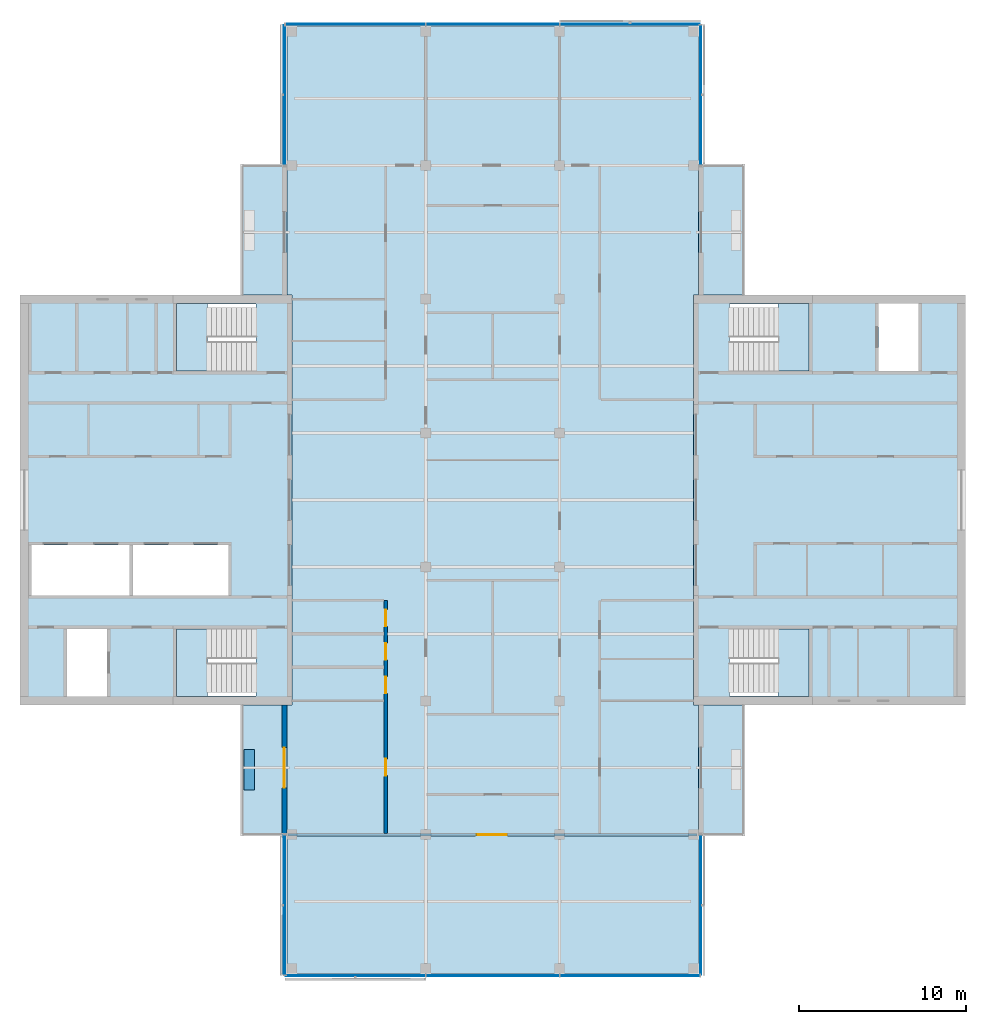
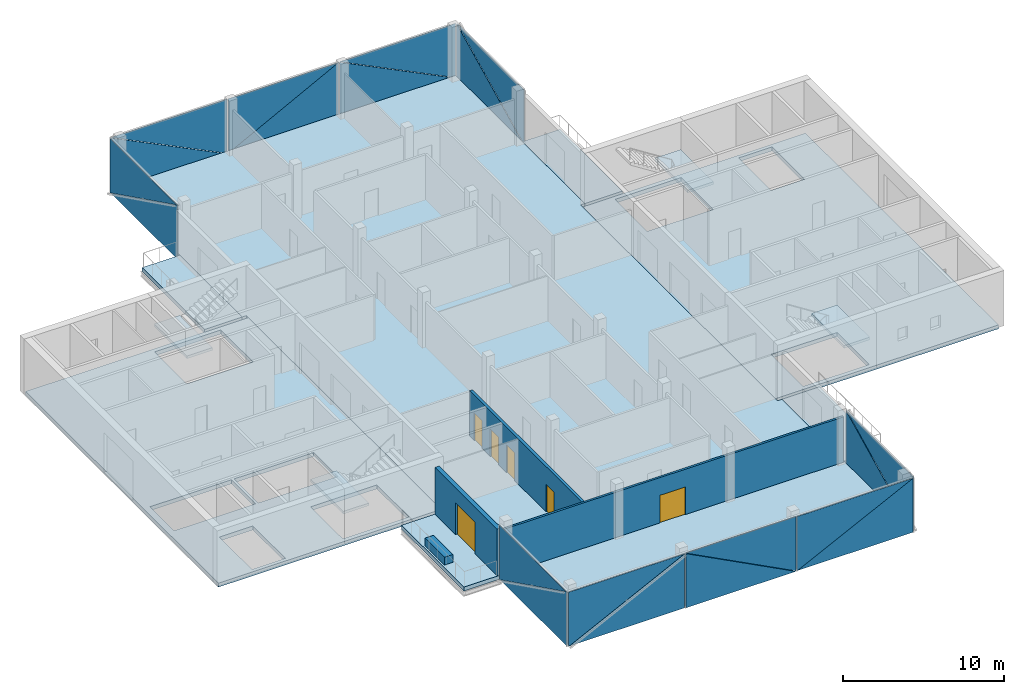
# One storey, part 4 of 12: 20 plates, 11 slabs, 6 doors, 4 walls, 6 openings, 10 elements without a shape of their own.
"""IFC4 building model written with IfcOpenShell, lengths in metres."""

from ifc_helpers import new_model, si_unit, direction, frame, frame_2d, origin, place, context, subcontext, project, spatial, polyline, rectangle, outline, extrude, material, layer, layer_set, type_object, element, fill, aggregate, save


model = new_model("IFC4")

# Units and contexts
model_context = context("Model", 3, precision=1e-05, world=origin(), true_north=direction((0.0, 1.0)))
body_context = subcontext(model_context, "Body", "Model", "MODEL_VIEW")
ifc_project = project(units=[si_unit("LENGTHUNIT", "METRE"), si_unit("AREAUNIT", "SQUARE_METRE"), si_unit("VOLUMEUNIT", "CUBIC_METRE"), si_unit("PLANEANGLEUNIT", "RADIAN"), si_unit("MASSUNIT", "GRAM", prefix="KILO")], contexts=[model_context])

# Site, building, storey
site_placement = place(None, origin())
site = spatial("IfcSite", under=ifc_project, at=site_placement, CompositionType="ELEMENT")
building_placement = place(site_placement, origin())
building = spatial("IfcBuilding", under=site, at=building_placement, Name="Crosswind Convention Tower", CompositionType="ELEMENT")
storey_placement = place(building_placement, frame((0.0, 0.0, 311.300048828125)))
storey = spatial("IfcBuildingStorey", under=building, at=storey_placement, Name="L67", CompositionType="ELEMENT", Elevation=311.300048828125)

# Slabs
ifc_material_1 = material(Name="Concrete C40/50", Category="concrete")
ifc_layer_1 = layer(ifc_material_1, 0.300048828125)
ifc_layer_set_1 = layer_set([ifc_layer_1], Name="Concrete C40/50")
slab_type_1 = type_object("IfcSlabType", Name="Composite floor slab 300", PredefinedType="FLOOR", material=ifc_layer_set_1)
slab_1_placement = place(storey_placement, frame((0.0, 0.0, -0.300048828125)))
element("IfcSlab", 1, at=slab_1_placement, inside=storey, type_object=slab_type_1, Name="Floor slab L67", PredefinedType="FLOOR", context=body_context, shape_type="SweptSolid", body=[
    extrude(outline(polyline([(137.300048828125, 71.699951171875), (137.0, 71.699951171875), (113.0, 71.699951171875), (112.699951171875, 71.699951171875), (112.699951171875, 72.0), (112.699951171875, 87.75), (113.0, 87.75), (113.0, 112.25), (112.699951171875, 112.25), (112.699951171875, 128.0), (112.699951171875, 128.300048828125), (113.0, 128.300048828125), (137.0, 128.300048828125), (137.300048828125, 128.300048828125), (137.300048828125, 128.0), (137.300048828125, 112.25), (137.0, 112.25), (137.0, 87.75), (137.300048828125, 87.75), (137.300048828125, 72.0), (137.300048828125, 71.699951171875)])), origin(), (0.0, 0.0, 1.0), 0.300048828125),
])
ifc_layer_2 = layer(ifc_material_1, 0.300048828125)
ifc_layer_set_2 = layer_set([ifc_layer_2], Name="Concrete C40/50")
slab_type_2 = type_object("IfcSlabType", Name="Concrete core floor slab 300", PredefinedType="FLOOR", material=ifc_layer_set_2)
slab_2_placement = place(storey_placement, frame((0.0, 0.0, -0.300048828125)))
element("IfcSlab", 2, at=slab_2_placement, inside=storey, type_object=slab_type_2, Name="Core floor slab E L67", PredefinedType="FLOOR", context=body_context, shape_type="SweptSolid", body=[
    extrude(outline(polyline([(137.0, 88.0), (153.0, 88.0), (153.0, 112.0), (137.0, 112.0), (137.0, 88.0)]), holes=[polyline([(150.449951171875, 107.699951171875), (150.449951171875, 111.75), (148.050048828125, 111.75), (148.050048828125, 107.699951171875), (150.449951171875, 107.699951171875)]), polyline([(143.89990234375, 107.699951171875), (143.89990234375, 111.699951171875), (139.14990234375, 111.699951171875), (139.14990234375, 107.699951171875), (143.89990234375, 107.699951171875)]), polyline([(143.89990234375, 88.300048828125), (143.89990234375, 92.300048828125), (139.14990234375, 92.300048828125), (139.14990234375, 88.300048828125), (143.89990234375, 88.300048828125)])]), origin(), (0.0, 0.0, 1.0), 0.300048828125),
])
slab_3_placement = place(storey_placement, frame((0.0, 0.0, -0.300048828125)))
element("IfcSlab", 3, at=slab_3_placement, inside=storey, type_object=slab_type_2, Name="Core floor slab W L67", PredefinedType="FLOOR", context=body_context, shape_type="SweptSolid", body=[
    extrude(outline(polyline([(97.0, 88.0), (113.0, 88.0), (113.0, 112.0), (97.0, 112.0), (97.0, 88.0)]), holes=[polyline([(109.199951171875, 94.300048828125), (109.199951171875, 97.300048828125), (103.5, 97.300048828125), (103.5, 94.300048828125), (109.199951171875, 94.300048828125)]), polyline([(103.300048828125, 94.300048828125), (103.300048828125, 97.300048828125), (97.449951171875, 97.300048828125), (97.449951171875, 94.300048828125), (103.300048828125, 94.300048828125)]), polyline([(101.949951171875, 88.25), (101.949951171875, 92.300048828125), (99.550048828125, 92.300048828125), (99.550048828125, 88.25), (101.949951171875, 88.25)]), polyline([(110.85009765625, 88.300048828125), (110.85009765625, 92.300048828125), (106.10009765625, 92.300048828125), (106.10009765625, 88.300048828125), (110.85009765625, 88.300048828125)]), polyline([(110.85009765625, 107.699951171875), (110.85009765625, 111.699951171875), (106.10009765625, 111.699951171875), (106.10009765625, 107.699951171875), (110.85009765625, 107.699951171875)])]), origin(), (0.0, 0.0, 1.0), 0.300048828125),
])

# Stair, slab
stair_type = type_object("IfcStairType", Name="Exit stair 1800 wide, 2 flights of 11 risers", PredefinedType="HALF_TURN_STAIR", material=ifc_material_1)
stair_1_placement = place(storey_placement, origin())
stair_1 = element("IfcStair", 4, at=stair_1_placement, inside=storey, type_object=stair_type, Name="Exit stair ST1 L67", ObjectType="ST5", PredefinedType="HALF_TURN_STAIR")
ifc_layer_3 = layer(ifc_material_1, 0.199951171875)
ifc_layer_set_3 = layer_set([ifc_layer_3], Name="Concrete C40/50")
slab_type_3 = type_object("IfcSlabType", Name="Stair landing 200", PredefinedType="LANDING", material=ifc_layer_set_3)
slab_4_placement = place(storey_placement, frame((0.0, 0.0, 1.89990234375)))
slab_4 = element("IfcSlab", 5, at=slab_4_placement, type_object=slab_type_3, Name="ST1 landing 1", PredefinedType="LANDING", context=body_context, shape_type="SweptSolid", body=[
    extrude(outline(polyline([(143.89990234375, 107.699951171875), (143.89990234375, 111.75), (142.050048828125, 111.75), (142.050048828125, 107.699951171875), (143.89990234375, 107.699951171875)])), origin(), (0.0, 0.0, 1.0), 0.199951171875),
])
aggregate(stair_1, [slab_4])

stair_2_placement = place(storey_placement, origin())
stair_2 = element("IfcStair", 6, at=stair_2_placement, inside=storey, type_object=stair_type, Name="Exit stair ST2 L67", ObjectType="ST5", PredefinedType="HALF_TURN_STAIR")
slab_5_placement = place(storey_placement, frame((0.0, 0.0, 1.89990234375)))
slab_5 = element("IfcSlab", 7, at=slab_5_placement, type_object=slab_type_3, Name="ST2 landing 1", PredefinedType="LANDING", context=body_context, shape_type="SweptSolid", body=[
    extrude(outline(polyline([(143.89990234375, 88.25), (143.89990234375, 92.300048828125), (142.050048828125, 92.300048828125), (142.050048828125, 88.25), (143.89990234375, 88.25)])), origin(), (0.0, 0.0, 1.0), 0.199951171875),
])
aggregate(stair_2, [slab_5])

stair_3_placement = place(storey_placement, origin())
stair_3 = element("IfcStair", 8, at=stair_3_placement, inside=storey, type_object=stair_type, Name="Exit stair ST3 L67", ObjectType="ST5", PredefinedType="HALF_TURN_STAIR")
slab_6_placement = place(storey_placement, frame((0.0, 0.0, 1.89990234375)))
slab_6 = element("IfcSlab", 9, at=slab_6_placement, type_object=slab_type_3, Name="ST3 landing 1", PredefinedType="LANDING", context=body_context, shape_type="SweptSolid", body=[
    extrude(outline(polyline([(107.949951171875, 88.25), (107.949951171875, 92.300048828125), (106.10009765625, 92.300048828125), (106.10009765625, 88.25), (107.949951171875, 88.25)])), origin(), (0.0, 0.0, 1.0), 0.199951171875),
])
aggregate(stair_3, [slab_6])

stair_4_placement = place(storey_placement, origin())
stair_4 = element("IfcStair", 10, at=stair_4_placement, inside=storey, type_object=stair_type, Name="Exit stair ST4 L67", ObjectType="ST5", PredefinedType="HALF_TURN_STAIR")
slab_7_placement = place(storey_placement, frame((0.0, 0.0, 1.89990234375)))
slab_7 = element("IfcSlab", 11, at=slab_7_placement, type_object=slab_type_3, Name="ST4 landing 1", PredefinedType="LANDING", context=body_context, shape_type="SweptSolid", body=[
    extrude(outline(polyline([(107.949951171875, 107.699951171875), (107.949951171875, 111.75), (106.10009765625, 111.75), (106.10009765625, 107.699951171875), (107.949951171875, 107.699951171875)])), origin(), (0.0, 0.0, 1.0), 0.199951171875),
])
aggregate(stair_4, [slab_7])

# Curtain wall, plates
ifc_material_2 = material(Name="Aluminium unitised curtain wall", Category="aluminium")
curtain_wall_type = type_object("IfcCurtainWallType", Name="OFFICE UNITISED WALL 220", PredefinedType="USERDEFINED", material=ifc_material_2)
curtain_wall_1_placement = place(storey_placement, origin())
curtain_wall_1 = element("IfcCurtainWall", 12, at=curtain_wall_1_placement, inside=storey, type_object=curtain_wall_type, Name="CW3 L67 N-E 1", ObjectType="UNITISED", PredefinedType="USERDEFINED")
ifc_material_3 = material(Name="Laminated insulating glass unit", Category="glass")
ifc_layer_4 = layer(ifc_material_3, 0.031982421875)
ifc_layer_set_4 = layer_set([ifc_layer_4], Name="TRIANGULAR GLASS PANEL 32")
plate_type = type_object("IfcPlateType", Name="TRIANGULAR GLASS PANEL 32", PredefinedType="CURTAIN_PANEL", material=ifc_layer_set_4)
plate_1_placement = place(storey_placement, frame((137.44287109375, 128.375, -0.300048828125), z_axis=(0.999999913924, 0.0, 0.000414913129), x_axis=(-0.000414913129, 0.0, 0.999999913924)))
plate_1 = element("IfcPlate", 13, at=plate_1_placement, type_object=plate_type, Name="CW3 panel 1.1", PredefinedType="CURTAIN_PANEL", context=body_context, shape_type="SweptSolid", body=[
    extrude(outline(polyline([(0.0, 0.0), (4.118896838915043, 0.0), (0.0, 8.317382812500002), (0.0, 0.0)])), origin(), (0.0, 0.0, -1.0), 0.031982421875),
])
plate_2_placement = place(storey_placement, frame((137.47509765625, 120.034912109375, 3.829833984375), z_axis=(0.999999913913, 0.0, 0.000414937724), x_axis=(0.000414937724, 0.0, -0.999999913913)))
plate_2 = element("IfcPlate", 14, at=plate_2_placement, type_object=plate_type, Name="CW3 panel 1.2", PredefinedType="CURTAIN_PANEL", context=body_context, shape_type="SweptSolid", body=[
    extrude(outline(polyline([(0.0, 0.0), (4.118652698311059, 0.0), (0.0, 8.317626953125), (0.0, 0.0)])), origin(), (0.0, 0.0, -1.0), 0.031982421875),
])
aggregate(curtain_wall_1, [plate_1, plate_2])

curtain_wall_2_placement = place(storey_placement, origin())
curtain_wall_2 = element("IfcCurtainWall", 15, at=curtain_wall_2_placement, inside=storey, type_object=curtain_wall_type, Name="CW3 L67 N-TIP 1", ObjectType="UNITISED", PredefinedType="USERDEFINED")
plate_3_placement = place(storey_placement, frame((129.034912109375, 128.44287109375, -0.300048828125), z_axis=(0.0, 0.999999913924, 0.000414913129), x_axis=(0.0, -0.000414913129, 0.999999913924)))
plate_3 = element("IfcPlate", 16, at=plate_3_placement, type_object=plate_type, Name="CW3 panel 1.1", PredefinedType="CURTAIN_PANEL", context=body_context, shape_type="SweptSolid", body=[
    extrude(outline(polyline([(0.0, 0.0), (4.118896838915043, 0.0), (0.0, 8.317626953124998), (0.0, 0.0)])), origin(), (0.0, 0.0, -1.0), 0.031982421875),
])
plate_4_placement = place(storey_placement, frame((137.375, 128.47509765625, 3.829833984375), z_axis=(0.0, 0.999999913913, 0.000414937724), x_axis=(0.0, 0.000414937724, -0.999999913913)))
plate_4 = element("IfcPlate", 17, at=plate_4_placement, type_object=plate_type, Name="CW3 panel 1.2", PredefinedType="CURTAIN_PANEL", context=body_context, shape_type="SweptSolid", body=[
    extrude(outline(polyline([(0.0, 0.0), (4.118652698311059, 0.0), (0.0, 8.3173828125), (0.0, 0.0)])), origin(), (0.0, 0.0, -1.0), 0.031982421875),
])
plate_5_placement = place(storey_placement, frame((121.034912109375, 128.441162109375, 3.829833984375), z_axis=(0.0, 0.999999913913, 0.000414937724), x_axis=(1.0, 0.0, 0.0)))
plate_5 = element("IfcPlate", 18, at=plate_5_placement, type_object=plate_type, Name="CW3 panel 2.1", PredefinedType="CURTAIN_PANEL", context=body_context, shape_type="SweptSolid", body=[
    extrude(outline(polyline([(0.0, 0.0), (7.908447265625, 0.0), (0.0, 4.118652698311059), (0.0, 0.0)])), origin(), (0.0, 0.0, -1.0), 0.031982421875),
])
plate_6_placement = place(storey_placement, frame((128.965087890625, 128.476806640625, -0.300048828125), z_axis=(0.0, 0.999999913913, 0.000414937724), x_axis=(-1.0, 0.0, 0.0)))
plate_6 = element("IfcPlate", 19, at=plate_6_placement, type_object=plate_type, Name="CW3 panel 2.2", PredefinedType="CURTAIN_PANEL", context=body_context, shape_type="SweptSolid", body=[
    extrude(outline(polyline([(0.0, 0.0), (7.908447265625, 0.0), (0.0, 4.118652698311059), (0.0, 0.0)])), origin(), (0.0, 0.0, -1.0), 0.031982421875),
])
plate_7_placement = place(storey_placement, frame((112.625, 128.44287109375, -0.300048828125), z_axis=(0.0, 0.999999913924, 0.000414913129), x_axis=(0.0, -0.000414913129, 0.999999913924)))
plate_7 = element("IfcPlate", 20, at=plate_7_placement, type_object=plate_type, Name="CW3 panel 3.1", PredefinedType="CURTAIN_PANEL", context=body_context, shape_type="SweptSolid", body=[
    extrude(outline(polyline([(0.0, 0.0), (4.118896838915043, 0.0), (0.0, 8.317382812500002), (0.0, 0.0)])), origin(), (0.0, 0.0, -1.0), 0.031982421875),
])
plate_8_placement = place(storey_placement, frame((120.965087890625, 128.47509765625, 3.829833984375), z_axis=(0.0, 0.999999913913, 0.000414937724), x_axis=(0.0, 0.000414937724, -0.999999913913)))
plate_8 = element("IfcPlate", 21, at=plate_8_placement, type_object=plate_type, Name="CW3 panel 3.2", PredefinedType="CURTAIN_PANEL", context=body_context, shape_type="SweptSolid", body=[
    extrude(outline(polyline([(0.0, 0.0), (4.118652698311059, 0.0), (0.0, 8.317626953125), (0.0, 0.0)])), origin(), (0.0, 0.0, -1.0), 0.031982421875),
])
aggregate(curtain_wall_2, [plate_3, plate_4, plate_5, plate_6, plate_7, plate_8])

curtain_wall_3_placement = place(storey_placement, origin())
curtain_wall_3 = element("IfcCurtainWall", 22, at=curtain_wall_3_placement, inside=storey, type_object=curtain_wall_type, Name="CW3 L67 N-W 1", ObjectType="UNITISED", PredefinedType="USERDEFINED")
plate_9_placement = place(storey_placement, frame((112.55712890625, 120.034912109375, -0.300048828125), z_axis=(-0.999999913924, 0.0, 0.000414913129), x_axis=(0.000414913129, 0.0, 0.999999913924)))
plate_9 = element("IfcPlate", 23, at=plate_9_placement, type_object=plate_type, Name="CW3 panel 1.1", PredefinedType="CURTAIN_PANEL", context=body_context, shape_type="SweptSolid", body=[
    extrude(outline(polyline([(0.0, 0.0), (4.118896838915043, 0.0), (0.0, 8.317626953124998), (0.0, 0.0)])), origin(), (0.0, 0.0, -1.0), 0.031982421875),
])
plate_10_placement = place(storey_placement, frame((112.52490234375, 128.375, 3.829833984375), z_axis=(-0.999999913913, 0.0, 0.000414937724), x_axis=(-0.000414937724, 0.0, -0.999999913913)))
plate_10 = element("IfcPlate", 24, at=plate_10_placement, type_object=plate_type, Name="CW3 panel 1.2", PredefinedType="CURTAIN_PANEL", context=body_context, shape_type="SweptSolid", body=[
    extrude(outline(polyline([(0.0, 0.0), (4.118652698311059, 0.0), (0.0, 8.3173828125), (0.0, 0.0)])), origin(), (0.0, 0.0, -1.0), 0.031982421875),
])
aggregate(curtain_wall_3, [plate_9, plate_10])

curtain_wall_4_placement = place(storey_placement, origin())
curtain_wall_4 = element("IfcCurtainWall", 25, at=curtain_wall_4_placement, inside=storey, type_object=curtain_wall_type, Name="CW3 L67 S-W 1", ObjectType="UNITISED", PredefinedType="USERDEFINED")
plate_11_placement = place(storey_placement, frame((112.55712890625, 71.625, -0.300048828125), z_axis=(-0.999999913924, 0.0, 0.000414913129), x_axis=(0.000414913129, 0.0, 0.999999913924)))
plate_11 = element("IfcPlate", 26, at=plate_11_placement, type_object=plate_type, Name="CW3 panel 1.1", PredefinedType="CURTAIN_PANEL", context=body_context, shape_type="SweptSolid", body=[
    extrude(outline(polyline([(0.0, 0.0), (4.118896838915043, 0.0), (0.0, 8.317382812500002), (0.0, 0.0)])), origin(), (0.0, 0.0, -1.0), 0.031982421875),
])
plate_12_placement = place(storey_placement, frame((112.52490234375, 79.965087890625, 3.829833984375), z_axis=(-0.999999913913, 0.0, 0.000414937724), x_axis=(-0.000414937724, 0.0, -0.999999913913)))
plate_12 = element("IfcPlate", 27, at=plate_12_placement, type_object=plate_type, Name="CW3 panel 1.2", PredefinedType="CURTAIN_PANEL", context=body_context, shape_type="SweptSolid", body=[
    extrude(outline(polyline([(0.0, 0.0), (4.118652698311059, 0.0), (0.0, 8.317626953125), (0.0, 0.0)])), origin(), (0.0, 0.0, -1.0), 0.031982421875),
])
aggregate(curtain_wall_4, [plate_11, plate_12])

curtain_wall_5_placement = place(storey_placement, origin())
curtain_wall_5 = element("IfcCurtainWall", 28, at=curtain_wall_5_placement, inside=storey, type_object=curtain_wall_type, Name="CW3 L67 S-TIP 1", ObjectType="UNITISED", PredefinedType="USERDEFINED")
plate_13_placement = place(storey_placement, frame((120.965087890625, 71.55712890625, -0.300048828125), z_axis=(0.0, -0.999999913924, 0.000414913129), x_axis=(0.0, 0.000414913129, 0.999999913924)))
plate_13 = element("IfcPlate", 29, at=plate_13_placement, type_object=plate_type, Name="CW3 panel 1.1", PredefinedType="CURTAIN_PANEL", context=body_context, shape_type="SweptSolid", body=[
    extrude(outline(polyline([(0.0, 0.0), (4.118896838915043, 0.0), (0.0, 8.317626953124998), (0.0, 0.0)])), origin(), (0.0, 0.0, -1.0), 0.031982421875),
])
plate_14_placement = place(storey_placement, frame((112.625, 71.52490234375, 3.829833984375), z_axis=(0.0, -0.999999913913, 0.000414937724), x_axis=(0.0, -0.000414937724, -0.999999913913)))
plate_14 = element("IfcPlate", 30, at=plate_14_placement, type_object=plate_type, Name="CW3 panel 1.2", PredefinedType="CURTAIN_PANEL", context=body_context, shape_type="SweptSolid", body=[
    extrude(outline(polyline([(0.0, 0.0), (4.118652698311059, 0.0), (0.0, 8.3173828125), (0.0, 0.0)])), origin(), (0.0, 0.0, -1.0), 0.031982421875),
])
plate_15_placement = place(storey_placement, frame((128.965087890625, 71.558837890625, 3.829833984375), z_axis=(0.0, -0.999999913913, 0.000414937724), x_axis=(-1.0, 0.0, 0.0)))
plate_15 = element("IfcPlate", 31, at=plate_15_placement, type_object=plate_type, Name="CW3 panel 2.1", PredefinedType="CURTAIN_PANEL", context=body_context, shape_type="SweptSolid", body=[
    extrude(outline(polyline([(0.0, 0.0), (7.908447265625, 0.0), (0.0, 4.118652698311059), (0.0, 0.0)])), origin(), (0.0, 0.0, -1.0), 0.031982421875),
])
plate_16_placement = place(storey_placement, frame((121.034912109375, 71.523193359375, -0.300048828125), z_axis=(0.0, -0.999999913913, 0.000414937724), x_axis=(1.0, 0.0, 0.0)))
plate_16 = element("IfcPlate", 32, at=plate_16_placement, type_object=plate_type, Name="CW3 panel 2.2", PredefinedType="CURTAIN_PANEL", context=body_context, shape_type="SweptSolid", body=[
    extrude(outline(polyline([(0.0, 0.0), (7.908447265625, 0.0), (0.0, 4.118652698311059), (0.0, 0.0)])), origin(), (0.0, 0.0, -1.0), 0.031982421875),
])
plate_17_placement = place(storey_placement, frame((137.375, 71.55712890625, -0.300048828125), z_axis=(0.0, -0.999999913924, 0.000414913129), x_axis=(0.0, 0.000414913129, 0.999999913924)))
plate_17 = element("IfcPlate", 33, at=plate_17_placement, type_object=plate_type, Name="CW3 panel 3.1", PredefinedType="CURTAIN_PANEL", context=body_context, shape_type="SweptSolid", body=[
    extrude(outline(polyline([(0.0, 0.0), (4.118896838915043, 0.0), (0.0, 8.317382812500002), (0.0, 0.0)])), origin(), (0.0, 0.0, -1.0), 0.031982421875),
])
plate_18_placement = place(storey_placement, frame((129.034912109375, 71.52490234375, 3.829833984375), z_axis=(0.0, -0.999999913913, 0.000414937724), x_axis=(0.0, -0.000414937724, -0.999999913913)))
plate_18 = element("IfcPlate", 34, at=plate_18_placement, type_object=plate_type, Name="CW3 panel 3.2", PredefinedType="CURTAIN_PANEL", context=body_context, shape_type="SweptSolid", body=[
    extrude(outline(polyline([(0.0, 0.0), (4.118652698311059, 0.0), (0.0, 8.317626953125), (0.0, 0.0)])), origin(), (0.0, 0.0, -1.0), 0.031982421875),
])
aggregate(curtain_wall_5, [plate_13, plate_14, plate_15, plate_16, plate_17, plate_18])

curtain_wall_6_placement = place(storey_placement, origin())
curtain_wall_6 = element("IfcCurtainWall", 35, at=curtain_wall_6_placement, inside=storey, type_object=curtain_wall_type, Name="CW3 L67 S-E 1", ObjectType="UNITISED", PredefinedType="USERDEFINED")
plate_19_placement = place(storey_placement, frame((137.44287109375, 79.965087890625, -0.300048828125), z_axis=(0.999999913924, 0.0, 0.000414913129), x_axis=(-0.000414913129, 0.0, 0.999999913924)))
plate_19 = element("IfcPlate", 36, at=plate_19_placement, type_object=plate_type, Name="CW3 panel 1.1", PredefinedType="CURTAIN_PANEL", context=body_context, shape_type="SweptSolid", body=[
    extrude(outline(polyline([(0.0, 0.0), (4.118896838915043, 0.0), (0.0, 8.317626953124998), (0.0, 0.0)])), origin(), (0.0, 0.0, -1.0), 0.031982421875),
])
plate_20_placement = place(storey_placement, frame((137.47509765625, 71.625, 3.829833984375), z_axis=(0.999999913913, 0.0, 0.000414937724), x_axis=(0.000414937724, 0.0, -0.999999913913)))
plate_20 = element("IfcPlate", 37, at=plate_20_placement, type_object=plate_type, Name="CW3 panel 1.2", PredefinedType="CURTAIN_PANEL", context=body_context, shape_type="SweptSolid", body=[
    extrude(outline(polyline([(0.0, 0.0), (4.118652698311059, 0.0), (0.0, 8.3173828125), (0.0, 0.0)])), origin(), (0.0, 0.0, -1.0), 0.031982421875),
])
aggregate(curtain_wall_6, [plate_19, plate_20])

# Slabs
ifc_layer_5 = layer(ifc_material_1, 0.300048828125)
ifc_layer_set_5 = layer_set([ifc_layer_5], Name="Concrete C40/50")
slab_type_4 = type_object("IfcSlabType", Name="WINTER GARDEN SLAB 300", PredefinedType="USERDEFINED", material=ifc_layer_set_5)
slab_8_placement = place(storey_placement, frame((0.0, 0.0, -0.300048828125)))
element("IfcSlab", 38, at=slab_8_placement, inside=storey, type_object=slab_type_4, Name="WINTER GARDEN L67 N-E.1-1", ObjectType="WINTER GARDEN", PredefinedType="USERDEFINED", context=body_context, shape_type="SweptSolid", body=[
    extrude(outline(polyline([(137.300048828125, 112.25), (137.300048828125, 120.0), (140.0, 120.0), (140.0, 112.25), (137.300048828125, 112.25)])), origin(), (0.0, 0.0, 1.0), 0.300048828125),
])
slab_9_placement = place(storey_placement, frame((0.0, 0.0, -0.300048828125)))
element("IfcSlab", 39, at=slab_9_placement, inside=storey, type_object=slab_type_4, Name="WINTER GARDEN L67 N-W.1-2", ObjectType="WINTER GARDEN", PredefinedType="USERDEFINED", context=body_context, shape_type="SweptSolid", body=[
    extrude(outline(polyline([(112.699951171875, 120.0), (112.699951171875, 112.25), (110.0, 112.25), (110.0, 120.0), (112.699951171875, 120.0)])), origin(), (0.0, 0.0, 1.0), 0.300048828125),
])
slab_10_placement = place(storey_placement, frame((0.0, 0.0, -0.300048828125)))
element("IfcSlab", 40, at=slab_10_placement, inside=storey, type_object=slab_type_4, Name="WINTER GARDEN L67 S-W.1-1", ObjectType="WINTER GARDEN", PredefinedType="USERDEFINED", context=body_context, shape_type="SweptSolid", body=[
    extrude(outline(polyline([(112.699951171875, 87.75), (112.699951171875, 80.0), (110.0, 80.0), (110.0, 87.75), (112.699951171875, 87.75)])), origin(), (0.0, 0.0, 1.0), 0.300048828125),
])
slab_11_placement = place(storey_placement, frame((0.0, 0.0, -0.300048828125)))
element("IfcSlab", 41, at=slab_11_placement, inside=storey, type_object=slab_type_4, Name="WINTER GARDEN L67 S-E.1-2", ObjectType="WINTER GARDEN", PredefinedType="USERDEFINED", context=body_context, shape_type="SweptSolid", body=[
    extrude(outline(polyline([(137.300048828125, 80.0), (137.300048828125, 87.75), (140.0, 87.75), (140.0, 80.0), (137.300048828125, 80.0)])), origin(), (0.0, 0.0, 1.0), 0.300048828125),
])

# Wall, openings, doors
ifc_material_4 = material(Name="Concrete blockwork", Category="masonry")
ifc_layer_6 = layer(ifc_material_4, 0.199951171875)
ifc_layer_set_6 = layer_set([ifc_layer_6], Name="COMPARTMENT WALL 200 BLOCKWORK")
wall_type_1 = type_object("IfcWallType", Name="COMPARTMENT WALL 200 BLOCKWORK", PredefinedType="SOLIDWALL", material=ifc_layer_set_6)
wall_1_placement = place(storey_placement, frame((118.60009765625, 80.074951171875, 0.0), z_axis=(0.0, 0.0, 1.0), x_axis=(0.0, 1.0, 0.0)))
wall_1 = element("IfcWall", 42, at=wall_1_placement, inside=storey, type_object=wall_type_1, Name="Compartment wall WT42", PredefinedType="SOLIDWALL", context=body_context, shape_type="SweptSolid", body=[
    extrude(rectangle(XDim=13.925048828125, YDim=0.199951171875, at=frame_2d((6.96240234375, 0.0))), origin(), (0.0, 0.0, 1.0), 3.44287109375),
])
opening_1_placement = place(wall_1_placement, frame((12.375, 0.0, 0.0)))
opening_1 = element("IfcOpeningElement", 43, at=opening_1_placement, cuts=wall_1, Name="Opening L67-57", PredefinedType="OPENING", context=body_context, shape_type="SweptSolid", body=[
    extrude(rectangle(XDim=1.0, YDim=2.10009765625, at=frame_2d((0.5, 1.050048828125))), frame((0.0, 0.10986328125, 0.0), z_axis=(0.0, -1.0, 0.0), x_axis=(1.0, 0.0, 0.0)), (0.0, 0.0, 1.0), 0.219970703125),
])
opening_2_placement = place(wall_1_placement, frame((10.375, 0.0, 0.0)))
opening_2 = element("IfcOpeningElement", 44, at=opening_2_placement, cuts=wall_1, Name="Opening L67-58", PredefinedType="OPENING", context=body_context, shape_type="SweptSolid", body=[
    extrude(rectangle(XDim=1.0, YDim=2.10009765625, at=frame_2d((0.5, 1.050048828125))), frame((0.0, 0.10986328125, 0.0), z_axis=(0.0, -1.0, 0.0), x_axis=(1.0, 0.0, 0.0)), (0.0, 0.0, 1.0), 0.219970703125),
])
opening_3_placement = place(wall_1_placement, frame((8.375, 0.0, 0.0)))
opening_3 = element("IfcOpeningElement", 45, at=opening_3_placement, cuts=wall_1, Name="Opening L67-59", PredefinedType="OPENING", context=body_context, shape_type="SweptSolid", body=[
    extrude(rectangle(XDim=1.0, YDim=2.10009765625, at=frame_2d((0.5, 1.050048828125))), frame((0.0, 0.10986328125, 0.0), z_axis=(0.0, -1.0, 0.0), x_axis=(1.0, 0.0, 0.0)), (0.0, 0.0, 1.0), 0.219970703125),
])
opening_4_placement = place(wall_1_placement, frame((3.449951171875, 0.0, 0.0)))
opening_4 = element("IfcOpeningElement", 46, at=opening_4_placement, cuts=wall_1, Name="Opening L67-60", PredefinedType="OPENING", context=body_context, shape_type="SweptSolid", body=[
    extrude(rectangle(XDim=1.0, YDim=2.10009765625, at=frame_2d((0.5, 1.050048828125))), frame((0.0, 0.10986328125, 0.0), z_axis=(0.0, -1.0, 0.0), x_axis=(1.0, 0.0, 0.0)), (0.0, 0.0, 1.0), 0.219970703125),
])
ifc_material_5 = material(Name="Steel fire door", Category="steel")
door_type_1 = type_object("IfcDoorType", Name="PLANT ROOM DOOR 1000X2100 FD60", OperationType="NOTDEFINED", PredefinedType="DOOR", material=ifc_material_5)
door_1_placement = place(opening_2_placement, origin())
door_1 = element("IfcDoor", 47, at=door_1_placement, inside=storey, type_object=door_type_1, Name="Door L67-58", ObjectType="D43", OperationType="SINGLE_SWING_LEFT", OverallHeight=2.10009765625, OverallWidth=1.0, PredefinedType="DOOR", context=body_context, shape_type="SweptSolid", body=[
    extrude(rectangle(XDim=1.0, YDim=2.10009765625, at=frame_2d((0.5, 1.050048828125))), frame((0.0, 0.02490234375, 0.0), z_axis=(0.0, -1.0, 0.0), x_axis=(1.0, 0.0, 0.0)), (0.0, 0.0, 1.0), 0.050048828125),
])
fill(opening_2, door_1)
ifc_material_6 = material(Name="Timber fire door", Category="wood")
door_type_2 = type_object("IfcDoorType", Name="TENANCY ENTRANCE DOOR 1000X2100 FD30S", OperationType="NOTDEFINED", PredefinedType="DOOR", material=ifc_material_6)
door_2_placement = place(opening_1_placement, origin())
door_2 = element("IfcDoor", 48, at=door_2_placement, inside=storey, type_object=door_type_2, Name="Door L67-57", ObjectType="D41", OperationType="SINGLE_SWING_LEFT", OverallHeight=2.10009765625, OverallWidth=1.0, PredefinedType="DOOR", context=body_context, shape_type="SweptSolid", body=[
    extrude(rectangle(XDim=1.0, YDim=2.10009765625, at=frame_2d((0.5, 1.050048828125))), frame((0.0, 0.02490234375, 0.0), z_axis=(0.0, -1.0, 0.0), x_axis=(1.0, 0.0, 0.0)), (0.0, 0.0, 1.0), 0.050048828125),
])
fill(opening_1, door_2)
door_3_placement = place(opening_3_placement, origin())
door_3 = element("IfcDoor", 49, at=door_3_placement, inside=storey, type_object=door_type_2, Name="Door L67-59", ObjectType="D41", OperationType="SINGLE_SWING_RIGHT", OverallHeight=2.10009765625, OverallWidth=1.0, PredefinedType="DOOR", context=body_context, shape_type="SweptSolid", body=[
    extrude(rectangle(XDim=1.0, YDim=2.10009765625, at=frame_2d((0.5, 1.050048828125))), frame((0.0, 0.02490234375, 0.0), z_axis=(0.0, -1.0, 0.0), x_axis=(1.0, 0.0, 0.0)), (0.0, 0.0, 1.0), 0.050048828125),
])
fill(opening_3, door_3)
door_4_placement = place(opening_4_placement, origin())
door_4 = element("IfcDoor", 50, at=door_4_placement, inside=storey, type_object=door_type_2, Name="Door L67-60", ObjectType="D41", OperationType="SINGLE_SWING_RIGHT", OverallHeight=2.10009765625, OverallWidth=1.0, PredefinedType="DOOR", context=body_context, shape_type="SweptSolid", body=[
    extrude(rectangle(XDim=1.0, YDim=2.10009765625, at=frame_2d((0.5, 1.050048828125))), frame((0.0, 0.02490234375, 0.0), z_axis=(0.0, -1.0, 0.0), x_axis=(1.0, 0.0, 0.0)), (0.0, 0.0, 1.0), 0.050048828125),
])
fill(opening_4, door_4)

# Wall
ifc_material_7 = material(Name="Concrete C30/37", Category="concrete")
ifc_layer_7 = layer(ifc_material_7, 0.60009765625)
ifc_layer_set_7 = layer_set([ifc_layer_7], Name="Concrete C30/37")
wall_type_2 = type_object("IfcWallType", Name="PLANTER BOX WALL 600", PredefinedType="SOLIDWALL", material=ifc_layer_set_7)
wall_2_placement = place(storey_placement, frame((110.449951171875, 85.074951171875, 0.0), z_axis=(0.0, 0.0, 1.0), x_axis=(0.0, -1.0, 0.0)))
element("IfcWall", 51, at=wall_2_placement, inside=storey, type_object=wall_type_2, Name="PLANTER L67 S-W.1-1", PredefinedType="SOLIDWALL", context=body_context, shape_type="SweptSolid", body=[
    extrude(rectangle(XDim=2.39990234375, YDim=0.60009765625, at=frame_2d((1.199951171875, 0.0))), origin(), (0.0, 0.0, 1.0), 0.599853515625),
])

# Wall, opening, door
ifc_material_8 = material(Name="Fire-board partition with mineral wool", Category="gypsum")
ifc_layer_8 = layer(ifc_material_8, 0.14990234375)
ifc_layer_set_8 = layer_set([ifc_layer_8], Name="TENANCY WALL 150 TWO-HOUR BOARD")
wall_type_3 = type_object("IfcWallType", Name="TENANCY WALL 150 TWO-HOUR BOARD", PredefinedType="PARTITIONING", material=ifc_layer_set_8)
wall_3_placement = place(storey_placement, frame((112.780029296875, 80.0, 0.0), z_axis=(0.0, 0.0, 1.0), x_axis=(1.0, 0.0, 0.0)))
wall_3 = element("IfcWall", 52, at=wall_3_placement, inside=storey, type_object=wall_type_3, Name="Tenancy wall WT41", PredefinedType="PARTITIONING", context=body_context, shape_type="SweptSolid", body=[
    extrude(rectangle(XDim=24.43994140625, YDim=0.14990234375, at=frame_2d((12.219970703125, 0.0))), origin(), (0.0, 0.0, 1.0), 3.44287109375),
])
opening_5_placement = place(wall_3_placement, frame((11.27001953125, 0.0, 0.0)))
opening_5 = element("IfcOpeningElement", 53, at=opening_5_placement, cuts=wall_3, Name="Opening L67-64", PredefinedType="OPENING", context=body_context, shape_type="SweptSolid", body=[
    extrude(rectangle(XDim=1.800048828125, YDim=2.10009765625, at=frame_2d((0.89990234375, 1.050048828125))), frame((0.0, 0.0849609375, 0.0), z_axis=(0.0, -1.0, 0.0), x_axis=(1.0, 0.0, 0.0)), (0.0, 0.0, 1.0), 0.169921875),
])
door_type_3 = type_object("IfcDoorType", Name="TENANCY ENTRANCE DOUBLE DOOR 1800X2100 FD30S", OperationType="DOUBLE_DOOR_SINGLE_SWING", PredefinedType="DOOR", material=ifc_material_6)
door_5_placement = place(opening_5_placement, frame((1.800048828125, 0.0, 0.0), z_axis=(0.0, 0.0, 1.0), x_axis=(-1.0, 0.0, 0.0)))
door_5 = element("IfcDoor", 54, at=door_5_placement, inside=storey, type_object=door_type_3, Name="Door L67-64", ObjectType="D42", OperationType="DOUBLE_DOOR_SINGLE_SWING", OverallHeight=2.10009765625, OverallWidth=1.800048828125, PredefinedType="DOOR", context=body_context, shape_type="SweptSolid", body=[
    extrude(rectangle(XDim=1.800048828125, YDim=2.10009765625, at=frame_2d((0.89990234375, 1.050048828125))), frame((0.0, 0.02490234375, 0.0), z_axis=(0.0, -1.0, 0.0), x_axis=(1.0, 0.0, 0.0)), (0.0, 0.0, 1.0), 0.050048828125),
])
fill(opening_5, door_5)

ifc_material_9 = material(Name="Terracotta rainscreen", Category="ceramic")
ifc_layer_9 = layer(ifc_material_9, 0.02001953125)
ifc_material_10 = material(Name="Mineral wool insulation", Category="insulation")
ifc_layer_10 = layer(ifc_material_10, 0.10009765625)
ifc_layer_11 = layer(ifc_material_4, 0.179931640625)
ifc_layer_set_9 = layer_set([ifc_layer_9, ifc_layer_10, ifc_layer_11], Name="TERRACOTTA INFILL WALL 300")
wall_type_4 = type_object("IfcWallType", Name="TERRACOTTA INFILL WALL 300", PredefinedType="SOLIDWALL", material=ifc_layer_set_9)
wall_4_placement = place(storey_placement, frame((112.550048828125, 87.75, 0.0), z_axis=(0.0, 0.0, 1.0), x_axis=(0.0, -1.0, 0.0)))
wall_4 = element("IfcWall", 55, at=wall_4_placement, inside=storey, type_object=wall_type_4, Name="Notch front wall L67 S-W.1-1", PredefinedType="SOLIDWALL", context=body_context, shape_type="SweptSolid", body=[
    extrude(rectangle(XDim=7.715087890625, YDim=0.300048828125, at=frame_2d((3.857421875, 0.0))), origin(), (0.0, 0.0, 1.0), 3.54443359375),
])
opening_6_placement = place(wall_4_placement, frame((2.550048828125, 0.0, 0.0)))
opening_6 = element("IfcOpeningElement", 56, at=opening_6_placement, cuts=wall_4, Name="Opening D143", PredefinedType="OPENING", context=body_context, shape_type="SweptSolid", body=[
    extrude(rectangle(XDim=2.39990234375, YDim=2.39990234375, at=frame_2d((1.199951171875, 1.199951171875))), frame((0.0, 0.159912109375, 0.0), z_axis=(0.0, -1.0, 0.0), x_axis=(1.0, 0.0, 0.0)), (0.0, 0.0, 1.0), 0.320068359375),
])
ifc_material_11 = material(Name="Aluminium glazed door", Category="aluminium")
door_type_4 = type_object("IfcDoorType", Name="WINTER GARDEN SLIDING DOOR 2400X2400", OperationType="SLIDING_TO_LEFT", PredefinedType="DOOR", material=ifc_material_11)
door_6_placement = place(opening_6_placement, frame((2.39990234375, 0.0, 0.0), z_axis=(0.0, 0.0, 1.0), x_axis=(-1.0, 0.0, 0.0)))
door_6 = element("IfcDoor", 57, at=door_6_placement, inside=storey, type_object=door_type_4, Name="D143 winter garden door L67 S-W.1-1", ObjectType="D143", OperationType="SLIDING_TO_LEFT", OverallHeight=2.39990234375, OverallWidth=2.39990234375, PredefinedType="DOOR", context=body_context, shape_type="SweptSolid", body=[
    extrude(rectangle(XDim=2.39990234375, YDim=2.39990234375, at=frame_2d((1.199951171875, 1.199951171875))), frame((0.0, 0.02490234375, 0.0), z_axis=(0.0, -1.0, 0.0), x_axis=(1.0, 0.0, 0.0)), (0.0, 0.0, 1.0), 0.050048828125),
])
fill(opening_6, door_6)

save(model, "model.ifc")
